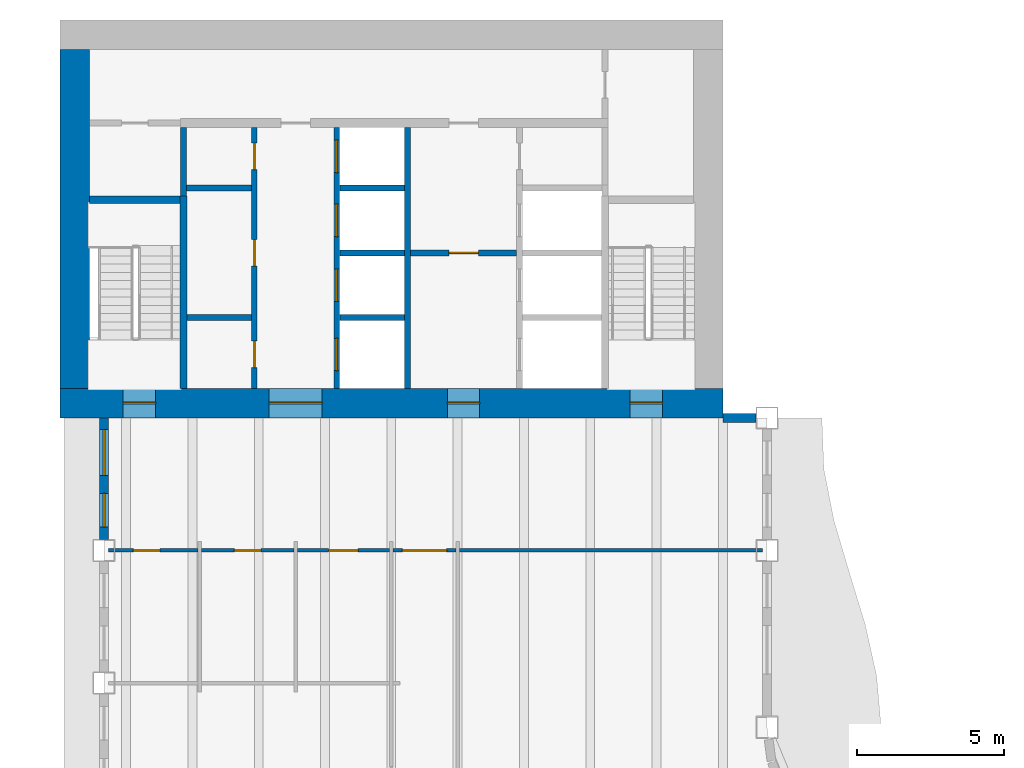
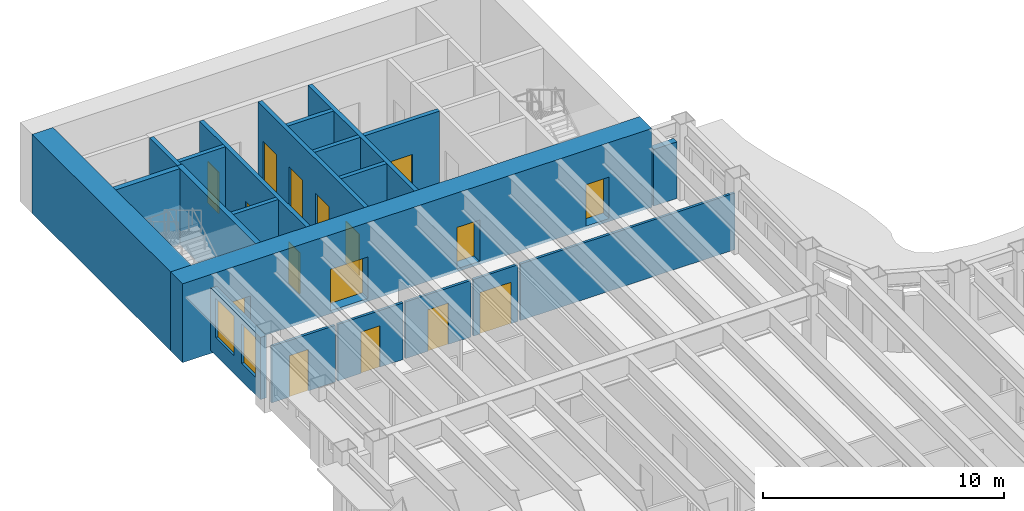
# One storey, part 8 of 16: 21 walls, 16 doors, 2 windows, 18 openings.
"""IFC4 building model written with IfcOpenShell, lengths in metres."""

from ifc_helpers import new_model, si_unit, direction, frame, frame_2d, origin, place, context, subcontext, project, spatial, rectangle, extrude, material, layer, layer_set, type_object, element, fill, save


model = new_model("IFC4")

# Units and contexts
model_context = context("Model", 3, precision=1e-05, world=origin(), true_north=direction((0.0, 1.0)))
body_context = subcontext(model_context, "Body", "Model", "MODEL_VIEW")
ifc_project = project(units=[si_unit("LENGTHUNIT", "METRE"), si_unit("AREAUNIT", "SQUARE_METRE"), si_unit("VOLUMEUNIT", "CUBIC_METRE"), si_unit("PLANEANGLEUNIT", "RADIAN"), si_unit("MASSUNIT", "GRAM", prefix="KILO")], contexts=[model_context])

# Site, building, storey
site_placement = place(None, origin())
site = spatial("IfcSite", under=ifc_project, at=site_placement, CompositionType="ELEMENT")
building_placement = place(site_placement, origin())
building = spatial("IfcBuilding", under=site, at=building_placement, Name="Sennacour Bend Tower", CompositionType="ELEMENT")
storey_placement = place(building_placement, frame((0.0, 0.0, 211.0)))
storey = spatial("IfcBuildingStorey", under=building, at=storey_placement, Name="L48", CompositionType="ELEMENT", Elevation=211.0)

# Wall, openings, doors
ifc_material_1 = material(Name="Concrete C60/75", Category="concrete")
ifc_layer_1 = layer(ifc_material_1, 1.0, Name="Concrete C60/75", Category="concrete")
ifc_layer_set_1 = layer_set([ifc_layer_1], Name="Concrete C60/75")
wall_type_1 = type_object("IfcWallType", Name="Core wall 1000 C60/75", PredefinedType="SHEAR", material=ifc_layer_set_1)
wall_1_placement = place(storey_placement, frame((0.0, 36.5, -0.14990234375), z_axis=(0.0, 0.0, 1.0), x_axis=(1.0, 0.0, 0.0)))
wall_1 = element("IfcWall", 1, at=wall_1_placement, inside=storey, type_object=wall_type_1, Name="Core B wall L48 S", PredefinedType="SHEAR", context=body_context, shape_type="SweptSolid", body=[
    extrude(rectangle(XDim=22.5, YDim=1.0, at=frame_2d((11.25, 0.0))), origin(), (0.0, 0.0, 1.0), 4.0),
])
opening_1_placement = place(wall_1_placement, frame((7.10009765625, 0.0, 0.14990234375)))
opening_1 = element("IfcOpeningElement", 2, at=opening_1_placement, cuts=wall_1, Name="Opening CD", PredefinedType="OPENING", context=body_context, shape_type="SweptSolid", body=[
    extrude(rectangle(XDim=1.800048828125, YDim=2.10009765625, at=frame_2d((0.89990234375, 1.050048828125))), frame((0.0, 0.510009765625, 0.0), z_axis=(0.0, -1.0, 0.0), x_axis=(1.0, 0.0, 0.0)), (0.0, 0.0, 1.0), 1.02001953125),
])
opening_2_placement = place(wall_1_placement, frame((13.14990234375, 0.0, 0.14990234375)))
opening_2 = element("IfcOpeningElement", 3, at=opening_2_placement, cuts=wall_1, Name="Opening FD", PredefinedType="OPENING", context=body_context, shape_type="SweptSolid", body=[
    extrude(rectangle(XDim=1.10009765625, YDim=2.10009765625, at=frame_2d((0.550048828125, 1.050048828125))), frame((0.0, 0.510009765625, 0.0), z_axis=(0.0, -1.0, 0.0), x_axis=(1.0, 0.0, 0.0)), (0.0, 0.0, 1.0), 1.02001953125),
])
opening_3_placement = place(wall_1_placement, frame((2.14990234375, 0.0, 0.14990234375)))
opening_3 = element("IfcOpeningElement", 4, at=opening_3_placement, cuts=wall_1, Name="Opening SD", PredefinedType="OPENING", context=body_context, shape_type="SweptSolid", body=[
    extrude(rectangle(XDim=1.10009765625, YDim=2.10009765625, at=frame_2d((0.550048828125, 1.050048828125))), frame((0.0, 0.510009765625, 0.0), z_axis=(0.0, -1.0, 0.0), x_axis=(1.0, 0.0, 0.0)), (0.0, 0.0, 1.0), 1.02001953125),
])
opening_4_placement = place(wall_1_placement, frame((19.35009765625, 0.0, 0.14990234375)))
opening_4 = element("IfcOpeningElement", 5, at=opening_4_placement, cuts=wall_1, Name="Opening SD", PredefinedType="OPENING", context=body_context, shape_type="SweptSolid", body=[
    extrude(rectangle(XDim=1.10009765625, YDim=2.10009765625, at=frame_2d((0.550048828125, 1.050048828125))), frame((0.0, 0.510009765625, 0.0), z_axis=(0.0, -1.0, 0.0), x_axis=(1.0, 0.0, 0.0)), (0.0, 0.0, 1.0), 1.02001953125),
])
ifc_material_2 = material(Name="Painted steel", Category="steel")
door_type_1 = type_object("IfcDoorType", Name="DR-FFL-1100", OperationType="NOTDEFINED", PredefinedType="DOOR", material=ifc_material_2)
door_1_placement = place(opening_2_placement, origin())
door_1 = element("IfcDoor", 6, at=door_1_placement, inside=storey, type_object=door_type_1, Name="Door", OperationType="SINGLE_SWING_RIGHT", OverallHeight=2.10009765625, OverallWidth=1.10009765625, PredefinedType="DOOR", context=body_context, shape_type="SweptSolid", body=[
    extrude(rectangle(XDim=1.10009765625, YDim=2.10009765625, at=frame_2d((0.550048828125, 1.050048828125))), frame((0.0, 0.02490234375, 0.0), z_axis=(0.0, -1.0, 0.0), x_axis=(1.0, 0.0, 0.0)), (0.0, 0.0, 1.0), 0.050048828125),
])
fill(opening_2, door_1)
door_type_2 = type_object("IfcDoorType", Name="DR-LOBBY-1800", OperationType="NOTDEFINED", PredefinedType="DOOR", material=ifc_material_2)
door_2_placement = place(opening_1_placement, origin())
door_2 = element("IfcDoor", 7, at=door_2_placement, inside=storey, type_object=door_type_2, Name="Door", OperationType="DOUBLE_DOOR_SINGLE_SWING", OverallHeight=2.10009765625, OverallWidth=1.800048828125, PredefinedType="DOOR", context=body_context, shape_type="SweptSolid", body=[
    extrude(rectangle(XDim=1.800048828125, YDim=2.10009765625, at=frame_2d((0.89990234375, 1.050048828125))), frame((0.0, 0.02490234375, 0.0), z_axis=(0.0, -1.0, 0.0), x_axis=(1.0, 0.0, 0.0)), (0.0, 0.0, 1.0), 0.050048828125),
])
fill(opening_1, door_2)
door_type_3 = type_object("IfcDoorType", Name="DR-STAIR-1100", OperationType="NOTDEFINED", PredefinedType="DOOR", material=ifc_material_2)
door_3_placement = place(opening_3_placement, origin())
door_3 = element("IfcDoor", 8, at=door_3_placement, inside=storey, type_object=door_type_3, Name="Door", OperationType="SINGLE_SWING_LEFT", OverallHeight=2.10009765625, OverallWidth=1.10009765625, PredefinedType="DOOR", context=body_context, shape_type="SweptSolid", body=[
    extrude(rectangle(XDim=1.10009765625, YDim=2.10009765625, at=frame_2d((0.550048828125, 1.050048828125))), frame((0.0, 0.02490234375, 0.0), z_axis=(0.0, -1.0, 0.0), x_axis=(1.0, 0.0, 0.0)), (0.0, 0.0, 1.0), 0.050048828125),
])
fill(opening_3, door_3)
door_4_placement = place(opening_4_placement, origin())
door_4 = element("IfcDoor", 9, at=door_4_placement, inside=storey, type_object=door_type_3, Name="Door", OperationType="SINGLE_SWING_RIGHT", OverallHeight=2.10009765625, OverallWidth=1.10009765625, PredefinedType="DOOR", context=body_context, shape_type="SweptSolid", body=[
    extrude(rectangle(XDim=1.10009765625, YDim=2.10009765625, at=frame_2d((0.550048828125, 1.050048828125))), frame((0.0, 0.02490234375, 0.0), z_axis=(0.0, -1.0, 0.0), x_axis=(1.0, 0.0, 0.0)), (0.0, 0.0, 1.0), 0.050048828125),
])
fill(opening_4, door_4)

# Wall
wall_2_placement = place(storey_placement, frame((0.5, 37.0, -0.14990234375), z_axis=(0.0, 0.0, 1.0), x_axis=(0.0, 1.0, 0.0)))
element("IfcWall", 10, at=wall_2_placement, inside=storey, type_object=wall_type_1, Name="Core B wall L48 W", PredefinedType="SHEAR", context=body_context, shape_type="SweptSolid", body=[
    extrude(rectangle(XDim=11.5, YDim=1.0, at=frame_2d((5.75, 0.0))), origin(), (0.0, 0.0, 1.0), 4.0),
])

# Wall, opening, door
ifc_material_3 = material(Name="Plasterboard partition on steel studs", Category="steel")
ifc_layer_2 = layer(ifc_material_3, 0.1201171875, Name="Plasterboard partition on steel studs", Category="steel")
ifc_layer_set_2 = layer_set([ifc_layer_2], Name="Plasterboard partition on steel studs")
wall_type_2 = type_object("IfcWallType", Name="Partition 120", PredefinedType="PARTITIONING", material=ifc_layer_set_2)
wall_3_placement = place(storey_placement, frame((1.64990234375, 31.5, 0.0), z_axis=(0.0, 0.0, 1.0), x_axis=(1.0, 0.0, 0.0)))
wall_3 = element("IfcWall", 11, at=wall_3_placement, inside=storey, type_object=wall_type_2, Name="P-L48-W075aa", PredefinedType="PARTITIONING", context=body_context, shape_type="SweptSolid", body=[
    extrude(rectangle(XDim=3.0400390625, YDim=0.1201171875, at=frame_2d((1.52001953125, 0.0))), origin(), (0.0, 0.0, 1.0), 2.8701171875),
])
opening_5_placement = place(wall_3_placement, frame((0.85009765625, 0.0, 0.0)))
opening_5 = element("IfcOpeningElement", 12, at=opening_5_placement, cuts=wall_3, Name="Opening WD", PredefinedType="OPENING", context=body_context, shape_type="SweptSolid", body=[
    extrude(rectangle(XDim=0.89990234375, YDim=2.10009765625, at=frame_2d((0.449951171875, 1.050048828125))), frame((0.0, 0.070068359375, 0.0), z_axis=(0.0, -1.0, 0.0), x_axis=(1.0, 0.0, 0.0)), (0.0, 0.0, 1.0), 0.14013671875),
])
ifc_material_4 = material(Name="Timber", Category="wood")
door_type_4 = type_object("IfcDoorType", Name="DR-WC-900", OperationType="NOTDEFINED", PredefinedType="DOOR", material=ifc_material_4)
door_5_placement = place(opening_5_placement, origin())
door_5 = element("IfcDoor", 13, at=door_5_placement, inside=storey, type_object=door_type_4, Name="Door", OperationType="SINGLE_SWING_LEFT", OverallHeight=2.10009765625, OverallWidth=0.89990234375, PredefinedType="DOOR", context=body_context, shape_type="SweptSolid", body=[
    extrude(rectangle(XDim=0.89990234375, YDim=2.10009765625, at=frame_2d((0.449951171875, 1.050048828125))), frame((0.0, 0.02490234375, 0.0), z_axis=(0.0, -1.0, 0.0), x_axis=(1.0, 0.0, 0.0)), (0.0, 0.0, 1.0), 0.050048828125),
])
fill(opening_5, door_5)

wall_4_placement = place(storey_placement, frame((4.81005859375, 31.5, 0.0), z_axis=(0.0, 0.0, 1.0), x_axis=(1.0, 0.0, 0.0)))
wall_4 = element("IfcWall", 14, at=wall_4_placement, inside=storey, type_object=wall_type_2, Name="P-L48-W075ab", PredefinedType="PARTITIONING", context=body_context, shape_type="SweptSolid", body=[
    extrude(rectangle(XDim=3.1298828125, YDim=0.1201171875, at=frame_2d((1.56494140625, 0.0))), origin(), (0.0, 0.0, 1.0), 2.8701171875),
])
opening_6_placement = place(wall_4_placement, frame((1.114990234375, 0.0, 0.0)))
opening_6 = element("IfcOpeningElement", 15, at=opening_6_placement, cuts=wall_4, Name="Opening WD", PredefinedType="OPENING", context=body_context, shape_type="SweptSolid", body=[
    extrude(rectangle(XDim=0.89990234375, YDim=2.10009765625, at=frame_2d((0.449951171875, 1.050048828125))), frame((0.0, 0.070068359375, 0.0), z_axis=(0.0, -1.0, 0.0), x_axis=(1.0, 0.0, 0.0)), (0.0, 0.0, 1.0), 0.14013671875),
])
door_6_placement = place(opening_6_placement, origin())
door_6 = element("IfcDoor", 16, at=door_6_placement, inside=storey, type_object=door_type_4, Name="Door", OperationType="SINGLE_SWING_LEFT", OverallHeight=2.10009765625, OverallWidth=0.89990234375, PredefinedType="DOOR", context=body_context, shape_type="SweptSolid", body=[
    extrude(rectangle(XDim=0.89990234375, YDim=2.10009765625, at=frame_2d((0.449951171875, 1.050048828125))), frame((0.0, 0.02490234375, 0.0), z_axis=(0.0, -1.0, 0.0), x_axis=(1.0, 0.0, 0.0)), (0.0, 0.0, 1.0), 0.050048828125),
])
fill(opening_6, door_6)

wall_5_placement = place(storey_placement, frame((8.06005859375, 31.5, 0.0), z_axis=(0.0, 0.0, 1.0), x_axis=(1.0, 0.0, 0.0)))
wall_5 = element("IfcWall", 17, at=wall_5_placement, inside=storey, type_object=wall_type_2, Name="P-L48-W075ac", PredefinedType="PARTITIONING", context=body_context, shape_type="SweptSolid", body=[
    extrude(rectangle(XDim=3.1298828125, YDim=0.1201171875, at=frame_2d((1.56494140625, 0.0))), origin(), (0.0, 0.0, 1.0), 2.8701171875),
])
opening_7_placement = place(wall_5_placement, frame((1.06494140625, 0.0, 0.0)))
opening_7 = element("IfcOpeningElement", 18, at=opening_7_placement, cuts=wall_5, Name="Opening AD", PredefinedType="OPENING", context=body_context, shape_type="SweptSolid", body=[
    extrude(rectangle(XDim=1.0, YDim=2.10009765625, at=frame_2d((0.5, 1.050048828125))), frame((0.0, 0.070068359375, 0.0), z_axis=(0.0, -1.0, 0.0), x_axis=(1.0, 0.0, 0.0)), (0.0, 0.0, 1.0), 0.14013671875),
])
door_type_5 = type_object("IfcDoorType", Name="DR-ACC-WC-1000", OperationType="NOTDEFINED", PredefinedType="DOOR", material=ifc_material_4)
door_7_placement = place(opening_7_placement, origin())
door_7 = element("IfcDoor", 19, at=door_7_placement, inside=storey, type_object=door_type_5, Name="Door", OperationType="SINGLE_SWING_LEFT", OverallHeight=2.10009765625, OverallWidth=1.0, PredefinedType="DOOR", context=body_context, shape_type="SweptSolid", body=[
    extrude(rectangle(XDim=1.0, YDim=2.10009765625, at=frame_2d((0.5, 1.050048828125))), frame((0.0, 0.02490234375, 0.0), z_axis=(0.0, -1.0, 0.0), x_axis=(1.0, 0.0, 0.0)), (0.0, 0.0, 1.0), 0.050048828125),
])
fill(opening_7, door_7)

# Wall
wall_6_placement = place(storey_placement, frame((13.56005859375, 31.5, 0.0), z_axis=(0.0, 0.0, 1.0), x_axis=(1.0, 0.0, 0.0)))
element("IfcWall", 20, at=wall_6_placement, inside=storey, type_object=wall_type_2, Name="P-L48-W075ae", PredefinedType="PARTITIONING", context=body_context, shape_type="SweptSolid", body=[
    extrude(rectangle(XDim=10.2900390625, YDim=0.1201171875, at=frame_2d((5.14501953125, 0.0))), origin(), (0.0, 0.0, 1.0), 2.8701171875),
])

# Wall, opening, door
ifc_layer_3 = layer(ifc_material_3, 0.1201171875, Name="Plasterboard partition on steel studs", Category="steel")
ifc_layer_set_3 = layer_set([ifc_layer_3], Name="Plasterboard partition on steel studs")
wall_type_3 = type_object("IfcWallType", Name="Partition 120 EI 30", PredefinedType="PARTITIONING", material=ifc_layer_set_3)
wall_7_placement = place(storey_placement, frame((11.31005859375, 31.5, 0.0), z_axis=(0.0, 0.0, 1.0), x_axis=(1.0, 0.0, 0.0)))
wall_7 = element("IfcWall", 21, at=wall_7_placement, inside=storey, type_object=wall_type_3, Name="P-L48-W075ad", PredefinedType="PARTITIONING", context=body_context, shape_type="SweptSolid", body=[
    extrude(rectangle(XDim=2.1298828125, YDim=0.1201171875, at=frame_2d((1.06494140625, 0.0))), origin(), (0.0, 0.0, 1.0), 2.8701171875),
])
opening_8_placement = place(wall_7_placement, frame((0.31494140625, 0.0, 0.0)))
opening_8 = element("IfcOpeningElement", 22, at=opening_8_placement, cuts=wall_7, Name="Opening KD", PredefinedType="OPENING", context=body_context, shape_type="SweptSolid", body=[
    extrude(rectangle(XDim=1.5, YDim=2.10009765625, at=frame_2d((0.75, 1.050048828125))), frame((0.0, 0.070068359375, 0.0), z_axis=(0.0, -1.0, 0.0), x_axis=(1.0, 0.0, 0.0)), (0.0, 0.0, 1.0), 0.14013671875),
])
door_type_6 = type_object("IfcDoorType", Name="DR-CORRIDOR-1500", OperationType="NOTDEFINED", PredefinedType="DOOR", material=ifc_material_2)
door_8_placement = place(opening_8_placement, origin())
door_8 = element("IfcDoor", 23, at=door_8_placement, inside=storey, type_object=door_type_6, Name="Door", OperationType="SINGLE_SWING_LEFT", OverallHeight=2.10009765625, OverallWidth=1.5, PredefinedType="DOOR", context=body_context, shape_type="SweptSolid", body=[
    extrude(rectangle(XDim=1.5, YDim=2.10009765625, at=frame_2d((0.75, 1.050048828125))), frame((0.0, 0.02490234375, 0.0), z_axis=(0.0, -1.0, 0.0), x_axis=(1.0, 0.0, 0.0)), (0.0, 0.0, 1.0), 0.050048828125),
])
fill(opening_8, door_8)

# Wall
ifc_material_5 = material(Name="Fire-rated plasterboard partition on steel studs", Category="steel")
ifc_layer_4 = layer(ifc_material_5, 0.199951171875, Name="Fire-rated plasterboard partition on steel studs", Category="steel")
ifc_layer_set_4 = layer_set([ifc_layer_4], Name="Fire-rated plasterboard partition on steel studs")
wall_type_4 = type_object("IfcWallType", Name="Rated partition 200", PredefinedType="PARTITIONING", material=ifc_layer_set_4)
wall_8_placement = place(storey_placement, frame((4.199951171875, 43.52490234375, 0.0), z_axis=(0.0, 0.0, 1.0), x_axis=(0.0, 1.0, 0.0)))
element("IfcWall", 24, at=wall_8_placement, inside=storey, type_object=wall_type_4, Name="P-L48-W005", PredefinedType="PARTITIONING", context=body_context, shape_type="SweptSolid", body=[
    extrude(rectangle(XDim=2.3251953125, YDim=0.199951171875, at=frame_2d((1.16259765625, 0.0))), origin(), (0.0, 0.0, 1.0), 3.85009765625),
])

# Wall, openings, doors
wall_9_placement = place(storey_placement, frame((6.60009765625, 37.0, 0.0), z_axis=(0.0, 0.0, 1.0), x_axis=(0.0, 1.0, 0.0)))
wall_9 = element("IfcWall", 25, at=wall_9_placement, inside=storey, type_object=wall_type_4, Name="P-L48-W007", PredefinedType="PARTITIONING", context=body_context, shape_type="SweptSolid", body=[
    extrude(rectangle(XDim=8.85009765625, YDim=0.199951171875, at=frame_2d((4.425048828125, 0.0))), origin(), (0.0, 0.0, 1.0), 3.85009765625),
])
opening_9_placement = place(wall_9_placement, frame((0.699951171875, 0.0, 0.0)))
opening_9 = element("IfcOpeningElement", 26, at=opening_9_placement, cuts=wall_9, Name="Opening SV", PredefinedType="OPENING", context=body_context, shape_type="SweptSolid", body=[
    extrude(rectangle(XDim=0.89990234375, YDim=2.10009765625, at=frame_2d((0.449951171875, 1.050048828125))), frame((0.0, 0.10986328125, 0.0), z_axis=(0.0, -1.0, 0.0), x_axis=(1.0, 0.0, 0.0)), (0.0, 0.0, 1.0), 0.219970703125),
])
opening_10_placement = place(wall_9_placement, frame((4.14990234375, 0.0, 0.0)))
opening_10 = element("IfcOpeningElement", 27, at=opening_10_placement, cuts=wall_9, Name="Opening WD", PredefinedType="OPENING", context=body_context, shape_type="SweptSolid", body=[
    extrude(rectangle(XDim=0.89990234375, YDim=2.10009765625, at=frame_2d((0.449951171875, 1.050048828125))), frame((0.0, 0.10986328125, 0.0), z_axis=(0.0, -1.0, 0.0), x_axis=(1.0, 0.0, 0.0)), (0.0, 0.0, 1.0), 0.219970703125),
])
opening_11_placement = place(wall_9_placement, frame((7.425048828125, 0.0, 0.0)))
opening_11 = element("IfcOpeningElement", 28, at=opening_11_placement, cuts=wall_9, Name="Opening SV", PredefinedType="OPENING", context=body_context, shape_type="SweptSolid", body=[
    extrude(rectangle(XDim=0.89990234375, YDim=2.10009765625, at=frame_2d((0.449951171875, 1.050048828125))), frame((0.0, 0.10986328125, 0.0), z_axis=(0.0, -1.0, 0.0), x_axis=(1.0, 0.0, 0.0)), (0.0, 0.0, 1.0), 0.219970703125),
])
door_type_7 = type_object("IfcDoorType", Name="DR-SERVICE-900", OperationType="NOTDEFINED", PredefinedType="DOOR", material=ifc_material_2)
door_9_placement = place(opening_9_placement, origin())
door_9 = element("IfcDoor", 29, at=door_9_placement, inside=storey, type_object=door_type_7, Name="Door", OperationType="SINGLE_SWING_LEFT", OverallHeight=2.10009765625, OverallWidth=0.89990234375, PredefinedType="DOOR", context=body_context, shape_type="SweptSolid", body=[
    extrude(rectangle(XDim=0.89990234375, YDim=2.10009765625, at=frame_2d((0.449951171875, 1.050048828125))), frame((0.0, 0.02490234375, 0.0), z_axis=(0.0, -1.0, 0.0), x_axis=(1.0, 0.0, 0.0)), (0.0, 0.0, 1.0), 0.050048828125),
])
fill(opening_9, door_9)
door_10_placement = place(opening_11_placement, origin())
door_10 = element("IfcDoor", 30, at=door_10_placement, inside=storey, type_object=door_type_7, Name="Door", OperationType="SINGLE_SWING_RIGHT", OverallHeight=2.10009765625, OverallWidth=0.89990234375, PredefinedType="DOOR", context=body_context, shape_type="SweptSolid", body=[
    extrude(rectangle(XDim=0.89990234375, YDim=2.10009765625, at=frame_2d((0.449951171875, 1.050048828125))), frame((0.0, 0.02490234375, 0.0), z_axis=(0.0, -1.0, 0.0), x_axis=(1.0, 0.0, 0.0)), (0.0, 0.0, 1.0), 0.050048828125),
])
fill(opening_11, door_10)
door_11_placement = place(opening_10_placement, origin())
door_11 = element("IfcDoor", 31, at=door_11_placement, inside=storey, type_object=door_type_4, Name="Door", OperationType="SINGLE_SWING_RIGHT", OverallHeight=2.10009765625, OverallWidth=0.89990234375, PredefinedType="DOOR", context=body_context, shape_type="SweptSolid", body=[
    extrude(rectangle(XDim=0.89990234375, YDim=2.10009765625, at=frame_2d((0.449951171875, 1.050048828125))), frame((0.0, 0.02490234375, 0.0), z_axis=(0.0, -1.0, 0.0), x_axis=(1.0, 0.0, 0.0)), (0.0, 0.0, 1.0), 0.050048828125),
])
fill(opening_10, door_11)

# Walls
wall_10_placement = place(storey_placement, frame((4.324951171875, 39.39990234375, 0.0), z_axis=(0.0, 0.0, 1.0), x_axis=(1.0, 0.0, 0.0)))
element("IfcWall", 32, at=wall_10_placement, inside=storey, type_object=wall_type_4, Name="P-L48-W077", PredefinedType="PARTITIONING", context=body_context, shape_type="SweptSolid", body=[
    extrude(rectangle(XDim=2.175048828125, YDim=0.199951171875, at=frame_2d((1.08740234375, 0.0))), origin(), (0.0, 0.0, 1.0), 3.85009765625),
])
wall_11_placement = place(storey_placement, frame((4.300048828125, 43.800048828125, 0.0), z_axis=(0.0, 0.0, 1.0), x_axis=(1.0, 0.0, 0.0)))
element("IfcWall", 33, at=wall_11_placement, inside=storey, type_object=wall_type_4, Name="P-L48-W085", PredefinedType="PARTITIONING", context=body_context, shape_type="SweptSolid", body=[
    extrude(rectangle(XDim=2.199951171875, YDim=0.199951171875, at=frame_2d((1.10009765625, 0.0))), origin(), (0.0, 0.0, 1.0), 3.85009765625),
])

# Wall, opening, door
ifc_layer_5 = layer(ifc_material_5, 0.199951171875, Name="Fire-rated plasterboard partition on steel studs", Category="steel")
ifc_layer_set_5 = layer_set([ifc_layer_5], Name="Fire-rated plasterboard partition on steel studs")
wall_type_5 = type_object("IfcWallType", Name="Rated partition 200 EI 90", PredefinedType="PARTITIONING", material=ifc_layer_set_5)
wall_12_placement = place(storey_placement, frame((11.89990234375, 41.60009765625, 0.0), z_axis=(0.0, 0.0, 1.0), x_axis=(1.0, 0.0, 0.0)))
wall_12 = element("IfcWall", 34, at=wall_12_placement, inside=storey, type_object=wall_type_5, Name="P-L48-W081", PredefinedType="PARTITIONING", context=body_context, shape_type="SweptSolid", body=[
    extrude(rectangle(XDim=3.60009765625, YDim=0.199951171875, at=frame_2d((1.800048828125, 0.0))), origin(), (0.0, 0.0, 1.0), 3.85009765625),
])
opening_12_placement = place(wall_12_placement, frame((1.300048828125, 0.0, 0.0)))
opening_12 = element("IfcOpeningElement", 35, at=opening_12_placement, cuts=wall_12, Name="Opening FD2", PredefinedType="OPENING", context=body_context, shape_type="SweptSolid", body=[
    extrude(rectangle(XDim=1.0, YDim=2.10009765625, at=frame_2d((0.5, 1.050048828125))), frame((0.0, 0.10986328125, 0.0), z_axis=(0.0, -1.0, 0.0), x_axis=(1.0, 0.0, 0.0)), (0.0, 0.0, 1.0), 0.219970703125),
])
door_type_8 = type_object("IfcDoorType", Name="DR-FFL-1000", OperationType="NOTDEFINED", PredefinedType="DOOR", material=ifc_material_2)
door_12_placement = place(opening_12_placement, origin())
door_12 = element("IfcDoor", 36, at=door_12_placement, inside=storey, type_object=door_type_8, Name="Door", OperationType="SINGLE_SWING_LEFT", OverallHeight=2.10009765625, OverallWidth=1.0, PredefinedType="DOOR", context=body_context, shape_type="SweptSolid", body=[
    extrude(rectangle(XDim=1.0, YDim=2.10009765625, at=frame_2d((0.5, 1.050048828125))), frame((0.0, 0.02490234375, 0.0), z_axis=(0.0, -1.0, 0.0), x_axis=(1.0, 0.0, 0.0)), (0.0, 0.0, 1.0), 0.050048828125),
])
fill(opening_12, door_12)

# Wall
ifc_material_6 = material(Name="Warm limestone cladding", Category="masonry")
ifc_layer_6 = layer(ifc_material_6, 0.050048828125, Name="Warm limestone cladding", Category="masonry")
ifc_material_7 = material(Name="Precast concrete C40/50", Category="concrete")
ifc_layer_7 = layer(ifc_material_7, 0.25, Name="Precast concrete C40/50", Category="concrete")
ifc_layer_set_6 = layer_set([ifc_layer_6, ifc_layer_7], Name="Precast concrete C40/50 with limestone cladding")
wall_type_6 = type_object("IfcWallType", Name="STONE-CLAD PRECAST SPANDREL 300", PredefinedType="STANDARD", material=ifc_layer_set_6)
wall_13_placement = place(storey_placement, frame((23.625, 36.0, 0.0), z_axis=(0.0, 0.0, 1.0), x_axis=(-1.0, 0.0, 0.0)))
element("IfcWall", 37, at=wall_13_placement, inside=storey, type_object=wall_type_6, Name="Stone spandrel and pier wall L48 14.00", PredefinedType="STANDARD", context=body_context, shape_type="SweptSolid", body=[
    extrude(rectangle(XDim=1.125, YDim=0.300048828125, at=frame_2d((0.5625, 0.0))), origin(), (0.0, 0.0, 1.0), 2.8701171875),
])

# Wall, openings, windows
wall_14_placement = place(storey_placement, frame((1.5, 36.0, 0.0), z_axis=(0.0, 0.0, 1.0), x_axis=(0.0, -1.0, 0.0)))
wall_14 = element("IfcWall", 38, at=wall_14_placement, inside=storey, type_object=wall_type_6, Name="Stone spandrel and pier wall L48 19.00", PredefinedType="STANDARD", context=body_context, shape_type="SweptSolid", body=[
    extrude(rectangle(XDim=4.125, YDim=0.300048828125, at=frame_2d((2.0625, 0.0))), origin(), (0.0, 0.0, 1.0), 3.156982421875),
])
opening_13_placement = place(wall_14_placement, frame((0.39990234375, 0.0, 0.89990234375)))
opening_13 = element("IfcOpeningElement", 39, at=opening_13_placement, cuts=wall_14, Name="Opening W9", PredefinedType="OPENING", context=body_context, shape_type="SweptSolid", body=[
    extrude(rectangle(XDim=1.550048828125, YDim=2.0, at=frame_2d((0.77490234375, 1.0))), frame((0.0, 0.16015625, 0.0), z_axis=(0.0, -1.0, 0.0), x_axis=(1.0, 0.0, 0.0)), (0.0, 0.0, 1.0), 0.320068359375),
])
opening_14_placement = place(wall_14_placement, frame((2.5625, 0.0, 0.89990234375)))
opening_14 = element("IfcOpeningElement", 40, at=opening_14_placement, cuts=wall_14, Name="Opening W24", PredefinedType="OPENING", context=body_context, shape_type="SweptSolid", body=[
    extrude(rectangle(XDim=1.14990234375, YDim=2.0, at=frame_2d((0.574951171875, 1.0))), frame((0.0, 0.16015625, 0.0), z_axis=(0.0, -1.0, 0.0), x_axis=(1.0, 0.0, 0.0)), (0.0, 0.0, 1.0), 0.320068359375),
])
ifc_material_8 = material(Name="Clear low-emissivity glass", Category="glass")
window_type_1 = type_object("IfcWindowType", Name="WIN-RIBBON-1150x2000", PartitioningType="SINGLE_PANEL", PredefinedType="WINDOW", material=ifc_material_8)
window_1_placement = place(opening_14_placement, origin())
window_1 = element("IfcWindow", 41, at=window_1_placement, inside=storey, type_object=window_type_1, Name="Ribbon window L48 19.00.1", OverallHeight=2.0, OverallWidth=1.14990234375, PartitioningType="SINGLE_PANEL", PredefinedType="WINDOW", context=body_context, shape_type="SweptSolid", body=[
    extrude(rectangle(XDim=1.14990234375, YDim=2.0, at=frame_2d((0.574951171875, 1.0))), frame((0.0, 0.030029296875, 0.0), z_axis=(0.0, -1.0, 0.0), x_axis=(1.0, 0.0, 0.0)), (0.0, 0.0, 1.0), 0.06005859375),
])
fill(opening_14, window_1)
window_type_2 = type_object("IfcWindowType", Name="WIN-RIBBON-1550x2000", PartitioningType="SINGLE_PANEL", PredefinedType="WINDOW", material=ifc_material_8)
window_2_placement = place(opening_13_placement, origin())
window_2 = element("IfcWindow", 42, at=window_2_placement, inside=storey, type_object=window_type_2, Name="Ribbon window L48 19.00.0", OverallHeight=2.0, OverallWidth=1.550048828125, PartitioningType="SINGLE_PANEL", PredefinedType="WINDOW", context=body_context, shape_type="SweptSolid", body=[
    extrude(rectangle(XDim=1.550048828125, YDim=2.0, at=frame_2d((0.77490234375, 1.0))), frame((0.0, 0.030029296875, 0.0), z_axis=(0.0, -1.0, 0.0), x_axis=(1.0, 0.0, 0.0)), (0.0, 0.0, 1.0), 0.06005859375),
])
fill(opening_13, window_2)

# Wall, openings, doors
ifc_material_9 = material(Name="Concrete C50/60", Category="concrete")
ifc_layer_8 = layer(ifc_material_9, 0.199951171875, Name="Concrete C50/60", Category="concrete")
ifc_layer_set_7 = layer_set([ifc_layer_8], Name="Concrete C50/60")
wall_type_7 = type_object("IfcWallType", Name="Shaft wall 200", PredefinedType="SOLIDWALL", material=ifc_layer_set_7)
wall_15_placement = place(storey_placement, frame((9.39990234375, 37.0, 0.0), z_axis=(0.0, 0.0, 1.0), x_axis=(0.0, 1.0, 0.0)))
wall_15 = element("IfcWall", 43, at=wall_15_placement, inside=storey, type_object=wall_type_7, Name="P-L48-W012", PredefinedType="SOLIDWALL", context=body_context, shape_type="SweptSolid", body=[
    extrude(rectangle(XDim=8.85009765625, YDim=0.199951171875, at=frame_2d((4.425048828125, 0.0))), origin(), (0.0, 0.0, 1.0), 3.85009765625),
])
opening_15_placement = place(wall_15_placement, frame((0.60009765625, 0.0, 0.011962890625)))
opening_15 = element("IfcOpeningElement", 44, at=opening_15_placement, cuts=wall_15, Name="Opening LD", PredefinedType="OPENING", context=body_context, shape_type="SweptSolid", body=[
    extrude(rectangle(XDim=1.10009765625, YDim=2.10009765625, at=frame_2d((0.550048828125, 1.050048828125))), frame((0.0, 0.10986328125, 0.0), z_axis=(0.0, -1.0, 0.0), x_axis=(1.0, 0.0, 0.0)), (0.0, 0.0, 1.0), 0.219970703125),
])
opening_16_placement = place(wall_15_placement, frame((2.949951171875, 0.0, 0.011962890625)))
opening_16 = element("IfcOpeningElement", 45, at=opening_16_placement, cuts=wall_15, Name="Opening LD", PredefinedType="OPENING", context=body_context, shape_type="SweptSolid", body=[
    extrude(rectangle(XDim=1.10009765625, YDim=2.10009765625, at=frame_2d((0.550048828125, 1.050048828125))), frame((0.0, 0.10986328125, 0.0), z_axis=(0.0, -1.0, 0.0), x_axis=(1.0, 0.0, 0.0)), (0.0, 0.0, 1.0), 0.219970703125),
])
opening_17_placement = place(wall_15_placement, frame((5.14990234375, 0.0, 0.011962890625)))
opening_17 = element("IfcOpeningElement", 46, at=opening_17_placement, cuts=wall_15, Name="Opening LD", PredefinedType="OPENING", context=body_context, shape_type="SweptSolid", body=[
    extrude(rectangle(XDim=1.10009765625, YDim=2.10009765625, at=frame_2d((0.550048828125, 1.050048828125))), frame((0.0, 0.10986328125, 0.0), z_axis=(0.0, -1.0, 0.0), x_axis=(1.0, 0.0, 0.0)), (0.0, 0.0, 1.0), 0.219970703125),
])
opening_18_placement = place(wall_15_placement, frame((7.324951171875, 0.0, 0.011962890625)))
opening_18 = element("IfcOpeningElement", 47, at=opening_18_placement, cuts=wall_15, Name="Opening LD", PredefinedType="OPENING", context=body_context, shape_type="SweptSolid", body=[
    extrude(rectangle(XDim=1.10009765625, YDim=2.10009765625, at=frame_2d((0.550048828125, 1.050048828125))), frame((0.0, 0.10986328125, 0.0), z_axis=(0.0, -1.0, 0.0), x_axis=(1.0, 0.0, 0.0)), (0.0, 0.0, 1.0), 0.219970703125),
])
ifc_material_10 = material(Name="Stainless steel", Category="steel")
door_type_9 = type_object("IfcDoorType", Name="DR-LANDING-1100", OperationType="NOTDEFINED", PredefinedType="DOOR", material=ifc_material_10)
door_13_placement = place(opening_15_placement, origin())
door_13 = element("IfcDoor", 48, at=door_13_placement, inside=storey, type_object=door_type_9, Name="Lift landing door MB1", OperationType="SLIDING_TO_LEFT", OverallHeight=2.10009765625, OverallWidth=1.10009765625, PredefinedType="DOOR", context=body_context, shape_type="SweptSolid", body=[
    extrude(rectangle(XDim=1.10009765625, YDim=2.10009765625, at=frame_2d((0.550048828125, 1.050048828125))), frame((0.0, 0.02490234375, 0.0), z_axis=(0.0, -1.0, 0.0), x_axis=(1.0, 0.0, 0.0)), (0.0, 0.0, 1.0), 0.050048828125),
])
fill(opening_15, door_13)
door_14_placement = place(opening_16_placement, origin())
door_14 = element("IfcDoor", 49, at=door_14_placement, inside=storey, type_object=door_type_9, Name="Lift landing door MB2", OperationType="SLIDING_TO_RIGHT", OverallHeight=2.10009765625, OverallWidth=1.10009765625, PredefinedType="DOOR", context=body_context, shape_type="SweptSolid", body=[
    extrude(rectangle(XDim=1.10009765625, YDim=2.10009765625, at=frame_2d((0.550048828125, 1.050048828125))), frame((0.0, 0.02490234375, 0.0), z_axis=(0.0, -1.0, 0.0), x_axis=(1.0, 0.0, 0.0)), (0.0, 0.0, 1.0), 0.050048828125),
])
fill(opening_16, door_14)
door_15_placement = place(opening_17_placement, origin())
door_15 = element("IfcDoor", 50, at=door_15_placement, inside=storey, type_object=door_type_9, Name="Lift landing door MB3", OperationType="SLIDING_TO_LEFT", OverallHeight=2.10009765625, OverallWidth=1.10009765625, PredefinedType="DOOR", context=body_context, shape_type="SweptSolid", body=[
    extrude(rectangle(XDim=1.10009765625, YDim=2.10009765625, at=frame_2d((0.550048828125, 1.050048828125))), frame((0.0, 0.02490234375, 0.0), z_axis=(0.0, -1.0, 0.0), x_axis=(1.0, 0.0, 0.0)), (0.0, 0.0, 1.0), 0.050048828125),
])
fill(opening_17, door_15)
door_16_placement = place(opening_18_placement, origin())
door_16 = element("IfcDoor", 51, at=door_16_placement, inside=storey, type_object=door_type_9, Name="Lift landing door MB4", OperationType="SLIDING_TO_RIGHT", OverallHeight=2.10009765625, OverallWidth=1.10009765625, PredefinedType="DOOR", context=body_context, shape_type="SweptSolid", body=[
    extrude(rectangle(XDim=1.10009765625, YDim=2.10009765625, at=frame_2d((0.550048828125, 1.050048828125))), frame((0.0, 0.02490234375, 0.0), z_axis=(0.0, -1.0, 0.0), x_axis=(1.0, 0.0, 0.0)), (0.0, 0.0, 1.0), 0.050048828125),
])
fill(opening_18, door_16)

# Walls
wall_16_placement = place(storey_placement, frame((11.800048828125, 37.0, 0.0), z_axis=(0.0, 0.0, 1.0), x_axis=(0.0, 1.0, 0.0)))
element("IfcWall", 52, at=wall_16_placement, inside=storey, type_object=wall_type_7, Name="P-L48-W014", PredefinedType="SOLIDWALL", context=body_context, shape_type="SweptSolid", body=[
    extrude(rectangle(XDim=8.85009765625, YDim=0.199951171875, at=frame_2d((4.425048828125, 0.0))), origin(), (0.0, 0.0, 1.0), 3.85009765625),
])
for number, where, z_axis, x_axis, name in (
    (53, (9.5, 39.39990234375, 0.0), (0.0, 0.0, 1.0), (1.0, 0.0, 0.0), "P-L48-W078"),
    (54, (9.5, 41.60009765625, 0.0), (0.0, 0.0, 1.0), (1.0, 0.0, 0.0), "P-L48-W080"),
    (55, (9.5, 43.800048828125, 0.0), (0.0, 0.0, 1.0), (1.0, 0.0, 0.0), "P-L48-W086"),
):
    element("IfcWall", number, at=place(storey_placement, frame(where, z_axis=z_axis, x_axis=x_axis)), inside=storey, type_object=wall_type_7, Name=name, PredefinedType="SOLIDWALL", context=body_context, shape_type="SweptSolid", body=[
        extrude(rectangle(XDim=2.199951171875, YDim=0.199951171875, at=frame_2d((1.10009765625, 0.0))), origin(), (0.0, 0.0, 1.0), 3.85009765625),
    ])
ifc_layer_9 = layer(ifc_material_1, 0.25, Name="Concrete C60/75", Category="concrete")
ifc_layer_set_8 = layer_set([ifc_layer_9], Name="Concrete C60/75")
wall_type_8 = type_object("IfcWallType", Name="Stair wall 250", PredefinedType="SHEAR", material=ifc_layer_set_8)
wall_17_placement = place(storey_placement, frame((4.199951171875, 37.0, 0.0), z_axis=(0.0, 0.0, 1.0), x_axis=(0.0, 1.0, 0.0)))
element("IfcWall", 56, at=wall_17_placement, inside=storey, type_object=wall_type_8, Name="P-L48-W004", PredefinedType="SHEAR", context=body_context, shape_type="SweptSolid", body=[
    extrude(rectangle(XDim=6.52490234375, YDim=0.25, at=frame_2d((3.262451171875, 0.0))), origin(), (0.0, 0.0, 1.0), 3.85009765625),
])
wall_18_placement = place(storey_placement, frame((1.0, 43.39990234375, 0.0), z_axis=(0.0, 0.0, 1.0), x_axis=(1.0, 0.0, 0.0)))
element("IfcWall", 57, at=wall_18_placement, inside=storey, type_object=wall_type_8, Name="P-L48-W083", PredefinedType="SHEAR", context=body_context, shape_type="SweptSolid", body=[
    extrude(rectangle(XDim=3.074951171875, YDim=0.25, at=frame_2d((1.53759765625, 0.0))), origin(), (0.0, 0.0, 1.0), 3.85009765625),
])

save(model, "model.ifc")
